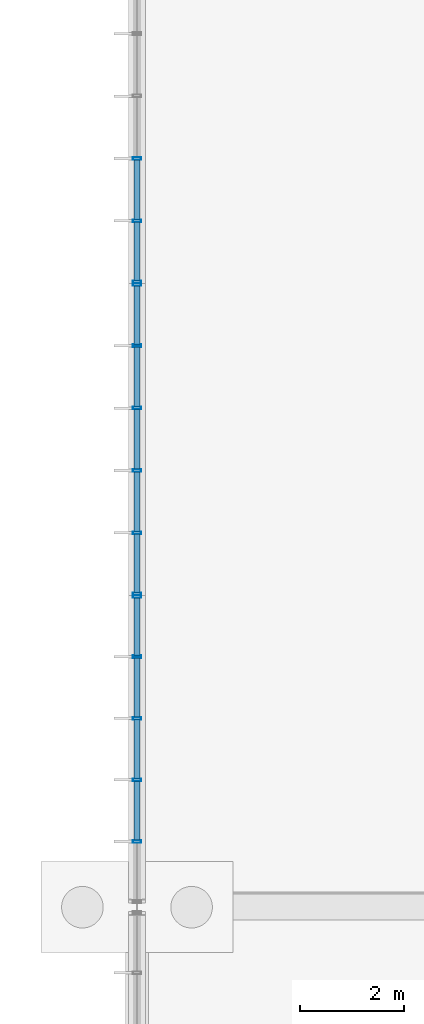
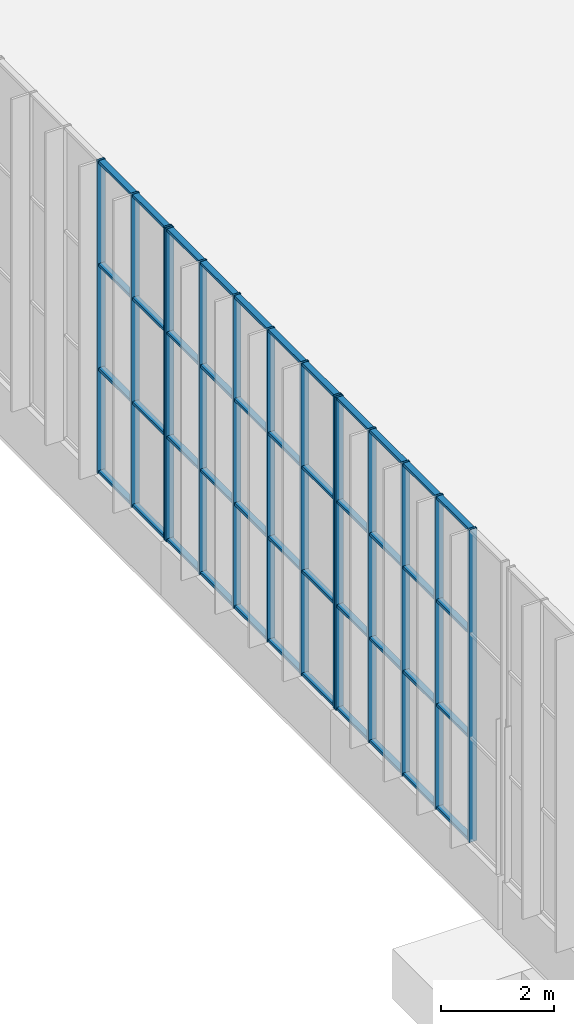
# One storey, part 48 of 136: 58 members, 3 elements without a shape of their own.
"""IFC4 building model written with IfcOpenShell, lengths in metres."""

from ifc_helpers import new_model, si_unit, direction, frame, origin, origin_2d, place, context, subcontext, project, spatial, hollow_rectangle, extrude, material, layer, layer_set, material_profile, profile_set, type_object, element, aggregate, save


model = new_model("IFC4")

# Units and contexts
model_context = context("Model", 3, precision=1e-05, world=origin(), true_north=direction((0.0, 1.0)))
body_context = subcontext(model_context, "Body", "Model", "MODEL_VIEW")
ifc_project = project(units=[si_unit("LENGTHUNIT", "METRE"), si_unit("AREAUNIT", "SQUARE_METRE"), si_unit("VOLUMEUNIT", "CUBIC_METRE"), si_unit("PLANEANGLEUNIT", "RADIAN"), si_unit("MASSUNIT", "GRAM", prefix="KILO")], contexts=[model_context])

# Site, building, storey
site_placement = place(None, origin())
site = spatial("IfcSite", under=ifc_project, at=site_placement, CompositionType="ELEMENT")
building_placement = place(site_placement, origin())
building = spatial("IfcBuilding", under=site, at=building_placement, Name="Solvenia Promenade Tram Depot", CompositionType="ELEMENT")
storey_placement = place(building_placement, origin())
storey = spatial("IfcBuildingStorey", under=building, at=storey_placement, Name="L00", CompositionType="ELEMENT", Elevation=0.0)

# Curtain wall, members
ifc_material = material(Name="Anodized aluminium AW-6063 T6", Category="aluminium")
ifc_layer = layer(ifc_material, 0.159912109375, Name="Anodized aluminium AW-6063 T6", Category="aluminium")
ifc_layer_set = layer_set([ifc_layer], Name="Anodized aluminium AW-6063 T6")
curtain_wall_type = type_object("IfcCurtainWallType", Name="CW-Channel-1200", PredefinedType="NOTDEFINED", material=ifc_layer_set)
curtain_wall_1_placement = place(storey_placement, origin())
curtain_wall_1 = element("IfcCurtainWall", 1, at=curtain_wall_1_placement, inside=storey, type_object=curtain_wall_type, Name="Curtain Wall CW-V1W-03", PredefinedType="NOTDEFINED")
ifc_material_profile_1 = material_profile(ifc_material, hollow_rectangle(XDim=0.159912109375, YDim=0.052001953125, WallThickness=0.00390625, at=origin_2d()), Name="ALU-M1", Category="aluminium")
ifc_profile_set_1 = profile_set([ifc_material_profile_1], Name="Anodized aluminium AW-6063 T6")
member_type_1 = type_object("IfcMemberType", Name="CWM-Mullion-1", PredefinedType="MULLION", material=ifc_profile_set_1)
member_1_placement = place(storey_placement, frame((0.0, 79.263916015625, 1.14990234375), z_axis=(0.0, 0.0, 1.0), x_axis=(-1.0, 0.0, 0.0)))
member_1 = element("IfcMember", 2, at=member_1_placement, type_object=member_type_1, Name="CW-1 mullion 2", PredefinedType="MULLION", context=body_context, shape_type="SweptSolid", body=[
    extrude(hollow_rectangle(XDim=0.159912109375, YDim=0.052001953125, WallThickness=0.00390625, at=origin_2d()), origin(), (0.0, 0.0, 1.0), 6.75),
])
member_2_placement = place(storey_placement, frame((0.0, 80.447998046875, 1.14990234375), z_axis=(0.0, 0.0, 1.0), x_axis=(-1.0, 0.0, 0.0)))
member_2 = element("IfcMember", 3, at=member_2_placement, type_object=member_type_1, Name="CW-1 mullion 3", PredefinedType="MULLION", context=body_context, shape_type="SweptSolid", body=[
    extrude(hollow_rectangle(XDim=0.159912109375, YDim=0.052001953125, WallThickness=0.00390625, at=origin_2d()), origin(), (0.0, 0.0, 1.0), 6.75),
])
member_3_placement = place(storey_placement, frame((0.0, 81.632080078125, 1.14990234375), z_axis=(0.0, 0.0, 1.0), x_axis=(-1.0, 0.0, 0.0)))
member_3 = element("IfcMember", 4, at=member_3_placement, type_object=member_type_1, Name="CW-1 mullion 4", PredefinedType="MULLION", context=body_context, shape_type="SweptSolid", body=[
    extrude(hollow_rectangle(XDim=0.159912109375, YDim=0.052001953125, WallThickness=0.00390625, at=origin_2d()), origin(), (0.0, 0.0, 1.0), 6.75),
])
member_4_placement = place(storey_placement, frame((0.0, 82.81591796875, 1.14990234375), z_axis=(0.0, 0.0, 1.0), x_axis=(-1.0, 0.0, 0.0)))
member_4 = element("IfcMember", 5, at=member_4_placement, type_object=member_type_1, Name="CW-1 mullion 5", PredefinedType="MULLION", context=body_context, shape_type="SweptSolid", body=[
    extrude(hollow_rectangle(XDim=0.159912109375, YDim=0.052001953125, WallThickness=0.00390625, at=origin_2d()), origin(), (0.0, 0.0, 1.0), 6.75),
])
member_5_placement = place(storey_placement, frame((0.0, 83.97412109375, 1.14990234375), z_axis=(0.0, 0.0, 1.0), x_axis=(-1.0, 0.0, 0.0)))
member_5 = element("IfcMember", 6, at=member_5_placement, type_object=member_type_1, Name="CW-1 mullion 6", PredefinedType="MULLION", context=body_context, shape_type="SweptSolid", body=[
    extrude(hollow_rectangle(XDim=0.159912109375, YDim=0.052001953125, WallThickness=0.00390625, at=origin_2d()), origin(), (0.0, 0.0, 1.0), 6.75),
])

curtain_wall_2_placement = place(storey_placement, origin())
curtain_wall_2 = element("IfcCurtainWall", 7, at=curtain_wall_2_placement, inside=storey, type_object=curtain_wall_type, Name="Curtain Wall CW-V1W-04", PredefinedType="NOTDEFINED")
member_6_placement = place(storey_placement, frame((0.0, 84.02587890625, 1.14990234375), z_axis=(0.0, 0.0, 1.0), x_axis=(-1.0, 0.0, 0.0)))
member_6 = element("IfcMember", 8, at=member_6_placement, type_object=member_type_1, Name="CW-1 mullion 1", PredefinedType="MULLION", context=body_context, shape_type="SweptSolid", body=[
    extrude(hollow_rectangle(XDim=0.159912109375, YDim=0.052001953125, WallThickness=0.00390625, at=origin_2d()), origin(), (0.0, 0.0, 1.0), 6.75),
])
member_7_placement = place(storey_placement, frame((0.0, 85.199951171875, 1.14990234375), z_axis=(0.0, 0.0, 1.0), x_axis=(-1.0, 0.0, 0.0)))
member_7 = element("IfcMember", 9, at=member_7_placement, type_object=member_type_1, Name="CW-1 mullion 2", PredefinedType="MULLION", context=body_context, shape_type="SweptSolid", body=[
    extrude(hollow_rectangle(XDim=0.159912109375, YDim=0.052001953125, WallThickness=0.00390625, at=origin_2d()), origin(), (0.0, 0.0, 1.0), 6.75),
])
member_8_placement = place(storey_placement, frame((0.0, 86.39990234375, 1.14990234375), z_axis=(0.0, 0.0, 1.0), x_axis=(-1.0, 0.0, 0.0)))
member_8 = element("IfcMember", 10, at=member_8_placement, type_object=member_type_1, Name="CW-1 mullion 3", PredefinedType="MULLION", context=body_context, shape_type="SweptSolid", body=[
    extrude(hollow_rectangle(XDim=0.159912109375, YDim=0.052001953125, WallThickness=0.00390625, at=origin_2d()), origin(), (0.0, 0.0, 1.0), 6.75),
])
member_9_placement = place(storey_placement, frame((0.0, 87.60009765625, 1.14990234375), z_axis=(0.0, 0.0, 1.0), x_axis=(-1.0, 0.0, 0.0)))
member_9 = element("IfcMember", 11, at=member_9_placement, type_object=member_type_1, Name="CW-1 mullion 4", PredefinedType="MULLION", context=body_context, shape_type="SweptSolid", body=[
    extrude(hollow_rectangle(XDim=0.159912109375, YDim=0.052001953125, WallThickness=0.00390625, at=origin_2d()), origin(), (0.0, 0.0, 1.0), 6.75),
])
member_10_placement = place(storey_placement, frame((0.0, 88.800048828125, 1.14990234375), z_axis=(0.0, 0.0, 1.0), x_axis=(-1.0, 0.0, 0.0)))
member_10 = element("IfcMember", 12, at=member_10_placement, type_object=member_type_1, Name="CW-1 mullion 5", PredefinedType="MULLION", context=body_context, shape_type="SweptSolid", body=[
    extrude(hollow_rectangle(XDim=0.159912109375, YDim=0.052001953125, WallThickness=0.00390625, at=origin_2d()), origin(), (0.0, 0.0, 1.0), 6.75),
])
member_11_placement = place(storey_placement, frame((0.0, 89.97412109375, 1.14990234375), z_axis=(0.0, 0.0, 1.0), x_axis=(-1.0, 0.0, 0.0)))
member_11 = element("IfcMember", 13, at=member_11_placement, type_object=member_type_1, Name="CW-1 mullion 6", PredefinedType="MULLION", context=body_context, shape_type="SweptSolid", body=[
    extrude(hollow_rectangle(XDim=0.159912109375, YDim=0.052001953125, WallThickness=0.00390625, at=origin_2d()), origin(), (0.0, 0.0, 1.0), 6.75),
])

curtain_wall_3_placement = place(storey_placement, origin())
curtain_wall_3 = element("IfcCurtainWall", 14, at=curtain_wall_3_placement, inside=storey, type_object=curtain_wall_type, Name="Curtain Wall CW-V1W-05", PredefinedType="NOTDEFINED")
member_12_placement = place(storey_placement, frame((0.0, 90.02587890625, 1.14990234375), z_axis=(0.0, 0.0, 1.0), x_axis=(-1.0, 0.0, 0.0)))
member_12 = element("IfcMember", 15, at=member_12_placement, type_object=member_type_1, Name="CW-1 mullion 1", PredefinedType="MULLION", context=body_context, shape_type="SweptSolid", body=[
    extrude(hollow_rectangle(XDim=0.159912109375, YDim=0.052001953125, WallThickness=0.00390625, at=origin_2d()), origin(), (0.0, 0.0, 1.0), 6.75),
])
member_13_placement = place(storey_placement, frame((0.0, 91.199951171875, 1.14990234375), z_axis=(0.0, 0.0, 1.0), x_axis=(-1.0, 0.0, 0.0)))
member_13 = element("IfcMember", 16, at=member_13_placement, type_object=member_type_1, Name="CW-1 mullion 2", PredefinedType="MULLION", context=body_context, shape_type="SweptSolid", body=[
    extrude(hollow_rectangle(XDim=0.159912109375, YDim=0.052001953125, WallThickness=0.00390625, at=origin_2d()), origin(), (0.0, 0.0, 1.0), 6.75),
])
member_14_placement = place(storey_placement, frame((0.0, 92.39990234375, 1.14990234375), z_axis=(0.0, 0.0, 1.0), x_axis=(-1.0, 0.0, 0.0)))
member_14 = element("IfcMember", 17, at=member_14_placement, type_object=member_type_1, Name="CW-1 mullion 3", PredefinedType="MULLION", context=body_context, shape_type="SweptSolid", body=[
    extrude(hollow_rectangle(XDim=0.159912109375, YDim=0.052001953125, WallThickness=0.00390625, at=origin_2d()), origin(), (0.0, 0.0, 1.0), 6.75),
])

# Member
ifc_material_profile_2 = material_profile(ifc_material, hollow_rectangle(XDim=0.1201171875, YDim=0.06005859375, WallThickness=0.00390625, at=origin_2d()), Name="ALU-T1", Category="aluminium")
ifc_profile_set_2 = profile_set([ifc_material_profile_2], Name="Anodized aluminium AW-6063 T6")
member_type_2 = type_object("IfcMemberType", Name="CWT-Transom-1", PredefinedType="USERDEFINED", material=ifc_profile_set_2)
member_15_placement = place(storey_placement, frame((0.0, 79.2900390625, 1.179931640625), z_axis=(0.0, 1.0, 0.0), x_axis=(-1.0, 0.0, 0.0)))
member_15 = element("IfcMember", 18, at=member_15_placement, type_object=member_type_2, Name="CW-1 transom 2.1", ObjectType="TRANSOM", PredefinedType="USERDEFINED", context=body_context, shape_type="SweptSolid", body=[
    extrude(hollow_rectangle(XDim=0.1201171875, YDim=0.06005859375, WallThickness=0.00390625, at=origin_2d()), origin(), (0.0, 0.0, 1.0), 1.132080078125),
])

member_16_placement = place(storey_placement, frame((0.0, 79.2900390625, 3.39990234375), z_axis=(0.0, 1.0, 0.0), x_axis=(-1.0, 0.0, 0.0)))
member_16 = element("IfcMember", 19, at=member_16_placement, type_object=member_type_2, Name="CW-1 transom 2.2", ObjectType="TRANSOM", PredefinedType="USERDEFINED", context=body_context, shape_type="SweptSolid", body=[
    extrude(hollow_rectangle(XDim=0.1201171875, YDim=0.06005859375, WallThickness=0.00390625, at=origin_2d()), origin(), (0.0, 0.0, 1.0), 1.132080078125),
])

member_17_placement = place(storey_placement, frame((0.0, 79.2900390625, 5.64990234375), z_axis=(0.0, 1.0, 0.0), x_axis=(-1.0, 0.0, 0.0)))
member_17 = element("IfcMember", 20, at=member_17_placement, type_object=member_type_2, Name="CW-1 transom 2.3", ObjectType="TRANSOM", PredefinedType="USERDEFINED", context=body_context, shape_type="SweptSolid", body=[
    extrude(hollow_rectangle(XDim=0.1201171875, YDim=0.06005859375, WallThickness=0.00390625, at=origin_2d()), origin(), (0.0, 0.0, 1.0), 1.132080078125),
])

member_18_placement = place(storey_placement, frame((0.0, 79.2900390625, 7.8701171875), z_axis=(0.0, 1.0, 0.0), x_axis=(-1.0, 0.0, 0.0)))
member_18 = element("IfcMember", 21, at=member_18_placement, type_object=member_type_2, Name="CW-1 transom 2.4", ObjectType="TRANSOM", PredefinedType="USERDEFINED", context=body_context, shape_type="SweptSolid", body=[
    extrude(hollow_rectangle(XDim=0.1201171875, YDim=0.06005859375, WallThickness=0.00390625, at=origin_2d()), origin(), (0.0, 0.0, 1.0), 1.132080078125),
])

member_19_placement = place(storey_placement, frame((0.0, 80.47412109375, 1.179931640625), z_axis=(0.0, 1.0, 0.0), x_axis=(-1.0, 0.0, 0.0)))
member_19 = element("IfcMember", 22, at=member_19_placement, type_object=member_type_2, Name="CW-1 transom 3.1", ObjectType="TRANSOM", PredefinedType="USERDEFINED", context=body_context, shape_type="SweptSolid", body=[
    extrude(hollow_rectangle(XDim=0.1201171875, YDim=0.06005859375, WallThickness=0.00390625, at=origin_2d()), origin(), (0.0, 0.0, 1.0), 1.1318359375),
])

member_20_placement = place(storey_placement, frame((0.0, 80.47412109375, 3.39990234375), z_axis=(0.0, 1.0, 0.0), x_axis=(-1.0, 0.0, 0.0)))
member_20 = element("IfcMember", 23, at=member_20_placement, type_object=member_type_2, Name="CW-1 transom 3.2", ObjectType="TRANSOM", PredefinedType="USERDEFINED", context=body_context, shape_type="SweptSolid", body=[
    extrude(hollow_rectangle(XDim=0.1201171875, YDim=0.06005859375, WallThickness=0.00390625, at=origin_2d()), origin(), (0.0, 0.0, 1.0), 1.1318359375),
])

member_21_placement = place(storey_placement, frame((0.0, 80.47412109375, 5.64990234375), z_axis=(0.0, 1.0, 0.0), x_axis=(-1.0, 0.0, 0.0)))
member_21 = element("IfcMember", 24, at=member_21_placement, type_object=member_type_2, Name="CW-1 transom 3.3", ObjectType="TRANSOM", PredefinedType="USERDEFINED", context=body_context, shape_type="SweptSolid", body=[
    extrude(hollow_rectangle(XDim=0.1201171875, YDim=0.06005859375, WallThickness=0.00390625, at=origin_2d()), origin(), (0.0, 0.0, 1.0), 1.1318359375),
])

member_22_placement = place(storey_placement, frame((0.0, 80.47412109375, 7.8701171875), z_axis=(0.0, 1.0, 0.0), x_axis=(-1.0, 0.0, 0.0)))
member_22 = element("IfcMember", 25, at=member_22_placement, type_object=member_type_2, Name="CW-1 transom 3.4", ObjectType="TRANSOM", PredefinedType="USERDEFINED", context=body_context, shape_type="SweptSolid", body=[
    extrude(hollow_rectangle(XDim=0.1201171875, YDim=0.06005859375, WallThickness=0.00390625, at=origin_2d()), origin(), (0.0, 0.0, 1.0), 1.1318359375),
])

member_23_placement = place(storey_placement, frame((0.0, 81.657958984375, 1.179931640625), z_axis=(0.0, 1.0, 0.0), x_axis=(-1.0, 0.0, 0.0)))
member_23 = element("IfcMember", 26, at=member_23_placement, type_object=member_type_2, Name="CW-1 transom 4.1", ObjectType="TRANSOM", PredefinedType="USERDEFINED", context=body_context, shape_type="SweptSolid", body=[
    extrude(hollow_rectangle(XDim=0.1201171875, YDim=0.06005859375, WallThickness=0.00390625, at=origin_2d()), origin(), (0.0, 0.0, 1.0), 1.132080078125),
])

member_24_placement = place(storey_placement, frame((0.0, 81.657958984375, 3.39990234375), z_axis=(0.0, 1.0, 0.0), x_axis=(-1.0, 0.0, 0.0)))
member_24 = element("IfcMember", 27, at=member_24_placement, type_object=member_type_2, Name="CW-1 transom 4.2", ObjectType="TRANSOM", PredefinedType="USERDEFINED", context=body_context, shape_type="SweptSolid", body=[
    extrude(hollow_rectangle(XDim=0.1201171875, YDim=0.06005859375, WallThickness=0.00390625, at=origin_2d()), origin(), (0.0, 0.0, 1.0), 1.132080078125),
])

member_25_placement = place(storey_placement, frame((0.0, 81.657958984375, 5.64990234375), z_axis=(0.0, 1.0, 0.0), x_axis=(-1.0, 0.0, 0.0)))
member_25 = element("IfcMember", 28, at=member_25_placement, type_object=member_type_2, Name="CW-1 transom 4.3", ObjectType="TRANSOM", PredefinedType="USERDEFINED", context=body_context, shape_type="SweptSolid", body=[
    extrude(hollow_rectangle(XDim=0.1201171875, YDim=0.06005859375, WallThickness=0.00390625, at=origin_2d()), origin(), (0.0, 0.0, 1.0), 1.132080078125),
])

member_26_placement = place(storey_placement, frame((0.0, 81.657958984375, 7.8701171875), z_axis=(0.0, 1.0, 0.0), x_axis=(-1.0, 0.0, 0.0)))
member_26 = element("IfcMember", 29, at=member_26_placement, type_object=member_type_2, Name="CW-1 transom 4.4", ObjectType="TRANSOM", PredefinedType="USERDEFINED", context=body_context, shape_type="SweptSolid", body=[
    extrude(hollow_rectangle(XDim=0.1201171875, YDim=0.06005859375, WallThickness=0.00390625, at=origin_2d()), origin(), (0.0, 0.0, 1.0), 1.132080078125),
])

member_27_placement = place(storey_placement, frame((0.0, 82.842041015625, 1.179931640625), z_axis=(0.0, 1.0, 0.0), x_axis=(-1.0, 0.0, 0.0)))
member_27 = element("IfcMember", 30, at=member_27_placement, type_object=member_type_2, Name="CW-1 transom 5.1", ObjectType="TRANSOM", PredefinedType="USERDEFINED", context=body_context, shape_type="SweptSolid", body=[
    extrude(hollow_rectangle(XDim=0.1201171875, YDim=0.06005859375, WallThickness=0.00390625, at=origin_2d()), origin(), (0.0, 0.0, 1.0), 1.10595703125),
])

member_28_placement = place(storey_placement, frame((0.0, 82.842041015625, 3.39990234375), z_axis=(0.0, 1.0, 0.0), x_axis=(-1.0, 0.0, 0.0)))
member_28 = element("IfcMember", 31, at=member_28_placement, type_object=member_type_2, Name="CW-1 transom 5.2", ObjectType="TRANSOM", PredefinedType="USERDEFINED", context=body_context, shape_type="SweptSolid", body=[
    extrude(hollow_rectangle(XDim=0.1201171875, YDim=0.06005859375, WallThickness=0.00390625, at=origin_2d()), origin(), (0.0, 0.0, 1.0), 1.10595703125),
])

member_29_placement = place(storey_placement, frame((0.0, 82.842041015625, 5.64990234375), z_axis=(0.0, 1.0, 0.0), x_axis=(-1.0, 0.0, 0.0)))
member_29 = element("IfcMember", 32, at=member_29_placement, type_object=member_type_2, Name="CW-1 transom 5.3", ObjectType="TRANSOM", PredefinedType="USERDEFINED", context=body_context, shape_type="SweptSolid", body=[
    extrude(hollow_rectangle(XDim=0.1201171875, YDim=0.06005859375, WallThickness=0.00390625, at=origin_2d()), origin(), (0.0, 0.0, 1.0), 1.10595703125),
])

member_30_placement = place(storey_placement, frame((0.0, 82.842041015625, 7.8701171875), z_axis=(0.0, 1.0, 0.0), x_axis=(-1.0, 0.0, 0.0)))
member_30 = element("IfcMember", 33, at=member_30_placement, type_object=member_type_2, Name="CW-1 transom 5.4", ObjectType="TRANSOM", PredefinedType="USERDEFINED", context=body_context, shape_type="SweptSolid", body=[
    extrude(hollow_rectangle(XDim=0.1201171875, YDim=0.06005859375, WallThickness=0.00390625, at=origin_2d()), origin(), (0.0, 0.0, 1.0), 1.10595703125),
])

aggregate(curtain_wall_1, [member_1, member_2, member_3, member_4, member_5, member_15, member_16, member_17, member_18, member_19, member_20, member_21, member_22, member_23, member_24, member_25, member_26, member_27, member_28, member_29, member_30])

member_31_placement = place(storey_placement, frame((0.0, 84.052001953125, 1.179931640625), z_axis=(0.0, 1.0, 0.0), x_axis=(-1.0, 0.0, 0.0)))
member_31 = element("IfcMember", 34, at=member_31_placement, type_object=member_type_2, Name="CW-1 transom 1.1", ObjectType="TRANSOM", PredefinedType="USERDEFINED", context=body_context, shape_type="SweptSolid", body=[
    extrude(hollow_rectangle(XDim=0.1201171875, YDim=0.06005859375, WallThickness=0.00390625, at=origin_2d()), origin(), (0.0, 0.0, 1.0), 1.1220703125),
])

member_32_placement = place(storey_placement, frame((0.0, 84.052001953125, 3.39990234375), z_axis=(0.0, 1.0, 0.0), x_axis=(-1.0, 0.0, 0.0)))
member_32 = element("IfcMember", 35, at=member_32_placement, type_object=member_type_2, Name="CW-1 transom 1.2", ObjectType="TRANSOM", PredefinedType="USERDEFINED", context=body_context, shape_type="SweptSolid", body=[
    extrude(hollow_rectangle(XDim=0.1201171875, YDim=0.06005859375, WallThickness=0.00390625, at=origin_2d()), origin(), (0.0, 0.0, 1.0), 1.1220703125),
])

member_33_placement = place(storey_placement, frame((0.0, 84.052001953125, 5.64990234375), z_axis=(0.0, 1.0, 0.0), x_axis=(-1.0, 0.0, 0.0)))
member_33 = element("IfcMember", 36, at=member_33_placement, type_object=member_type_2, Name="CW-1 transom 1.3", ObjectType="TRANSOM", PredefinedType="USERDEFINED", context=body_context, shape_type="SweptSolid", body=[
    extrude(hollow_rectangle(XDim=0.1201171875, YDim=0.06005859375, WallThickness=0.00390625, at=origin_2d()), origin(), (0.0, 0.0, 1.0), 1.1220703125),
])

member_34_placement = place(storey_placement, frame((0.0, 84.052001953125, 7.8701171875), z_axis=(0.0, 1.0, 0.0), x_axis=(-1.0, 0.0, 0.0)))
member_34 = element("IfcMember", 37, at=member_34_placement, type_object=member_type_2, Name="CW-1 transom 1.4", ObjectType="TRANSOM", PredefinedType="USERDEFINED", context=body_context, shape_type="SweptSolid", body=[
    extrude(hollow_rectangle(XDim=0.1201171875, YDim=0.06005859375, WallThickness=0.00390625, at=origin_2d()), origin(), (0.0, 0.0, 1.0), 1.1220703125),
])

member_35_placement = place(storey_placement, frame((0.0, 85.22607421875, 1.179931640625), z_axis=(0.0, 1.0, 0.0), x_axis=(-1.0, 0.0, 0.0)))
member_35 = element("IfcMember", 38, at=member_35_placement, type_object=member_type_2, Name="CW-1 transom 2.1", ObjectType="TRANSOM", PredefinedType="USERDEFINED", context=body_context, shape_type="SweptSolid", body=[
    extrude(hollow_rectangle(XDim=0.1201171875, YDim=0.06005859375, WallThickness=0.00390625, at=origin_2d()), origin(), (0.0, 0.0, 1.0), 1.14794921875),
])

member_36_placement = place(storey_placement, frame((0.0, 85.22607421875, 3.39990234375), z_axis=(0.0, 1.0, 0.0), x_axis=(-1.0, 0.0, 0.0)))
member_36 = element("IfcMember", 39, at=member_36_placement, type_object=member_type_2, Name="CW-1 transom 2.2", ObjectType="TRANSOM", PredefinedType="USERDEFINED", context=body_context, shape_type="SweptSolid", body=[
    extrude(hollow_rectangle(XDim=0.1201171875, YDim=0.06005859375, WallThickness=0.00390625, at=origin_2d()), origin(), (0.0, 0.0, 1.0), 1.14794921875),
])

member_37_placement = place(storey_placement, frame((0.0, 85.22607421875, 5.64990234375), z_axis=(0.0, 1.0, 0.0), x_axis=(-1.0, 0.0, 0.0)))
member_37 = element("IfcMember", 40, at=member_37_placement, type_object=member_type_2, Name="CW-1 transom 2.3", ObjectType="TRANSOM", PredefinedType="USERDEFINED", context=body_context, shape_type="SweptSolid", body=[
    extrude(hollow_rectangle(XDim=0.1201171875, YDim=0.06005859375, WallThickness=0.00390625, at=origin_2d()), origin(), (0.0, 0.0, 1.0), 1.14794921875),
])

member_38_placement = place(storey_placement, frame((0.0, 85.22607421875, 7.8701171875), z_axis=(0.0, 1.0, 0.0), x_axis=(-1.0, 0.0, 0.0)))
member_38 = element("IfcMember", 41, at=member_38_placement, type_object=member_type_2, Name="CW-1 transom 2.4", ObjectType="TRANSOM", PredefinedType="USERDEFINED", context=body_context, shape_type="SweptSolid", body=[
    extrude(hollow_rectangle(XDim=0.1201171875, YDim=0.06005859375, WallThickness=0.00390625, at=origin_2d()), origin(), (0.0, 0.0, 1.0), 1.14794921875),
])

member_39_placement = place(storey_placement, frame((0.0, 86.426025390625, 1.179931640625), z_axis=(0.0, 1.0, 0.0), x_axis=(-1.0, 0.0, 0.0)))
member_39 = element("IfcMember", 42, at=member_39_placement, type_object=member_type_2, Name="CW-1 transom 3.1", ObjectType="TRANSOM", PredefinedType="USERDEFINED", context=body_context, shape_type="SweptSolid", body=[
    extrude(hollow_rectangle(XDim=0.1201171875, YDim=0.06005859375, WallThickness=0.00390625, at=origin_2d()), origin(), (0.0, 0.0, 1.0), 1.14794921875),
])

member_40_placement = place(storey_placement, frame((0.0, 86.426025390625, 3.39990234375), z_axis=(0.0, 1.0, 0.0), x_axis=(-1.0, 0.0, 0.0)))
member_40 = element("IfcMember", 43, at=member_40_placement, type_object=member_type_2, Name="CW-1 transom 3.2", ObjectType="TRANSOM", PredefinedType="USERDEFINED", context=body_context, shape_type="SweptSolid", body=[
    extrude(hollow_rectangle(XDim=0.1201171875, YDim=0.06005859375, WallThickness=0.00390625, at=origin_2d()), origin(), (0.0, 0.0, 1.0), 1.14794921875),
])

member_41_placement = place(storey_placement, frame((0.0, 86.426025390625, 5.64990234375), z_axis=(0.0, 1.0, 0.0), x_axis=(-1.0, 0.0, 0.0)))
member_41 = element("IfcMember", 44, at=member_41_placement, type_object=member_type_2, Name="CW-1 transom 3.3", ObjectType="TRANSOM", PredefinedType="USERDEFINED", context=body_context, shape_type="SweptSolid", body=[
    extrude(hollow_rectangle(XDim=0.1201171875, YDim=0.06005859375, WallThickness=0.00390625, at=origin_2d()), origin(), (0.0, 0.0, 1.0), 1.14794921875),
])

member_42_placement = place(storey_placement, frame((0.0, 86.426025390625, 7.8701171875), z_axis=(0.0, 1.0, 0.0), x_axis=(-1.0, 0.0, 0.0)))
member_42 = element("IfcMember", 45, at=member_42_placement, type_object=member_type_2, Name="CW-1 transom 3.4", ObjectType="TRANSOM", PredefinedType="USERDEFINED", context=body_context, shape_type="SweptSolid", body=[
    extrude(hollow_rectangle(XDim=0.1201171875, YDim=0.06005859375, WallThickness=0.00390625, at=origin_2d()), origin(), (0.0, 0.0, 1.0), 1.14794921875),
])

member_43_placement = place(storey_placement, frame((0.0, 87.6259765625, 1.179931640625), z_axis=(0.0, 1.0, 0.0), x_axis=(-1.0, 0.0, 0.0)))
member_43 = element("IfcMember", 46, at=member_43_placement, type_object=member_type_2, Name="CW-1 transom 4.1", ObjectType="TRANSOM", PredefinedType="USERDEFINED", context=body_context, shape_type="SweptSolid", body=[
    extrude(hollow_rectangle(XDim=0.1201171875, YDim=0.06005859375, WallThickness=0.00390625, at=origin_2d()), origin(), (0.0, 0.0, 1.0), 1.14794921875),
])

member_44_placement = place(storey_placement, frame((0.0, 87.6259765625, 3.39990234375), z_axis=(0.0, 1.0, 0.0), x_axis=(-1.0, 0.0, 0.0)))
member_44 = element("IfcMember", 47, at=member_44_placement, type_object=member_type_2, Name="CW-1 transom 4.2", ObjectType="TRANSOM", PredefinedType="USERDEFINED", context=body_context, shape_type="SweptSolid", body=[
    extrude(hollow_rectangle(XDim=0.1201171875, YDim=0.06005859375, WallThickness=0.00390625, at=origin_2d()), origin(), (0.0, 0.0, 1.0), 1.14794921875),
])

member_45_placement = place(storey_placement, frame((0.0, 87.6259765625, 5.64990234375), z_axis=(0.0, 1.0, 0.0), x_axis=(-1.0, 0.0, 0.0)))
member_45 = element("IfcMember", 48, at=member_45_placement, type_object=member_type_2, Name="CW-1 transom 4.3", ObjectType="TRANSOM", PredefinedType="USERDEFINED", context=body_context, shape_type="SweptSolid", body=[
    extrude(hollow_rectangle(XDim=0.1201171875, YDim=0.06005859375, WallThickness=0.00390625, at=origin_2d()), origin(), (0.0, 0.0, 1.0), 1.14794921875),
])

member_46_placement = place(storey_placement, frame((0.0, 87.6259765625, 7.8701171875), z_axis=(0.0, 1.0, 0.0), x_axis=(-1.0, 0.0, 0.0)))
member_46 = element("IfcMember", 49, at=member_46_placement, type_object=member_type_2, Name="CW-1 transom 4.4", ObjectType="TRANSOM", PredefinedType="USERDEFINED", context=body_context, shape_type="SweptSolid", body=[
    extrude(hollow_rectangle(XDim=0.1201171875, YDim=0.06005859375, WallThickness=0.00390625, at=origin_2d()), origin(), (0.0, 0.0, 1.0), 1.14794921875),
])

member_47_placement = place(storey_placement, frame((0.0, 88.825927734375, 1.179931640625), z_axis=(0.0, 1.0, 0.0), x_axis=(-1.0, 0.0, 0.0)))
member_47 = element("IfcMember", 50, at=member_47_placement, type_object=member_type_2, Name="CW-1 transom 5.1", ObjectType="TRANSOM", PredefinedType="USERDEFINED", context=body_context, shape_type="SweptSolid", body=[
    extrude(hollow_rectangle(XDim=0.1201171875, YDim=0.06005859375, WallThickness=0.00390625, at=origin_2d()), origin(), (0.0, 0.0, 1.0), 1.1220703125),
])

member_48_placement = place(storey_placement, frame((0.0, 88.825927734375, 3.39990234375), z_axis=(0.0, 1.0, 0.0), x_axis=(-1.0, 0.0, 0.0)))
member_48 = element("IfcMember", 51, at=member_48_placement, type_object=member_type_2, Name="CW-1 transom 5.2", ObjectType="TRANSOM", PredefinedType="USERDEFINED", context=body_context, shape_type="SweptSolid", body=[
    extrude(hollow_rectangle(XDim=0.1201171875, YDim=0.06005859375, WallThickness=0.00390625, at=origin_2d()), origin(), (0.0, 0.0, 1.0), 1.1220703125),
])

member_49_placement = place(storey_placement, frame((0.0, 88.825927734375, 5.64990234375), z_axis=(0.0, 1.0, 0.0), x_axis=(-1.0, 0.0, 0.0)))
member_49 = element("IfcMember", 52, at=member_49_placement, type_object=member_type_2, Name="CW-1 transom 5.3", ObjectType="TRANSOM", PredefinedType="USERDEFINED", context=body_context, shape_type="SweptSolid", body=[
    extrude(hollow_rectangle(XDim=0.1201171875, YDim=0.06005859375, WallThickness=0.00390625, at=origin_2d()), origin(), (0.0, 0.0, 1.0), 1.1220703125),
])

member_50_placement = place(storey_placement, frame((0.0, 88.825927734375, 7.8701171875), z_axis=(0.0, 1.0, 0.0), x_axis=(-1.0, 0.0, 0.0)))
member_50 = element("IfcMember", 53, at=member_50_placement, type_object=member_type_2, Name="CW-1 transom 5.4", ObjectType="TRANSOM", PredefinedType="USERDEFINED", context=body_context, shape_type="SweptSolid", body=[
    extrude(hollow_rectangle(XDim=0.1201171875, YDim=0.06005859375, WallThickness=0.00390625, at=origin_2d()), origin(), (0.0, 0.0, 1.0), 1.1220703125),
])

aggregate(curtain_wall_2, [member_6, member_7, member_8, member_9, member_10, member_11, member_31, member_32, member_33, member_34, member_35, member_36, member_37, member_38, member_39, member_40, member_41, member_42, member_43, member_44, member_45, member_46, member_47, member_48, member_49, member_50])

member_51_placement = place(storey_placement, frame((0.0, 90.052001953125, 1.179931640625), z_axis=(0.0, 1.0, 0.0), x_axis=(-1.0, 0.0, 0.0)))
member_51 = element("IfcMember", 54, at=member_51_placement, type_object=member_type_2, Name="CW-1 transom 1.1", ObjectType="TRANSOM", PredefinedType="USERDEFINED", context=body_context, shape_type="SweptSolid", body=[
    extrude(hollow_rectangle(XDim=0.1201171875, YDim=0.06005859375, WallThickness=0.00390625, at=origin_2d()), origin(), (0.0, 0.0, 1.0), 1.1220703125),
])

member_52_placement = place(storey_placement, frame((0.0, 90.052001953125, 3.39990234375), z_axis=(0.0, 1.0, 0.0), x_axis=(-1.0, 0.0, 0.0)))
member_52 = element("IfcMember", 55, at=member_52_placement, type_object=member_type_2, Name="CW-1 transom 1.2", ObjectType="TRANSOM", PredefinedType="USERDEFINED", context=body_context, shape_type="SweptSolid", body=[
    extrude(hollow_rectangle(XDim=0.1201171875, YDim=0.06005859375, WallThickness=0.00390625, at=origin_2d()), origin(), (0.0, 0.0, 1.0), 1.1220703125),
])

member_53_placement = place(storey_placement, frame((0.0, 90.052001953125, 5.64990234375), z_axis=(0.0, 1.0, 0.0), x_axis=(-1.0, 0.0, 0.0)))
member_53 = element("IfcMember", 56, at=member_53_placement, type_object=member_type_2, Name="CW-1 transom 1.3", ObjectType="TRANSOM", PredefinedType="USERDEFINED", context=body_context, shape_type="SweptSolid", body=[
    extrude(hollow_rectangle(XDim=0.1201171875, YDim=0.06005859375, WallThickness=0.00390625, at=origin_2d()), origin(), (0.0, 0.0, 1.0), 1.1220703125),
])

member_54_placement = place(storey_placement, frame((0.0, 90.052001953125, 7.8701171875), z_axis=(0.0, 1.0, 0.0), x_axis=(-1.0, 0.0, 0.0)))
member_54 = element("IfcMember", 57, at=member_54_placement, type_object=member_type_2, Name="CW-1 transom 1.4", ObjectType="TRANSOM", PredefinedType="USERDEFINED", context=body_context, shape_type="SweptSolid", body=[
    extrude(hollow_rectangle(XDim=0.1201171875, YDim=0.06005859375, WallThickness=0.00390625, at=origin_2d()), origin(), (0.0, 0.0, 1.0), 1.1220703125),
])

member_55_placement = place(storey_placement, frame((0.0, 91.22607421875, 1.179931640625), z_axis=(0.0, 1.0, 0.0), x_axis=(-1.0, 0.0, 0.0)))
member_55 = element("IfcMember", 58, at=member_55_placement, type_object=member_type_2, Name="CW-1 transom 2.1", ObjectType="TRANSOM", PredefinedType="USERDEFINED", context=body_context, shape_type="SweptSolid", body=[
    extrude(hollow_rectangle(XDim=0.1201171875, YDim=0.06005859375, WallThickness=0.00390625, at=origin_2d()), origin(), (0.0, 0.0, 1.0), 1.14794921875),
])

member_56_placement = place(storey_placement, frame((0.0, 91.22607421875, 3.39990234375), z_axis=(0.0, 1.0, 0.0), x_axis=(-1.0, 0.0, 0.0)))
member_56 = element("IfcMember", 59, at=member_56_placement, type_object=member_type_2, Name="CW-1 transom 2.2", ObjectType="TRANSOM", PredefinedType="USERDEFINED", context=body_context, shape_type="SweptSolid", body=[
    extrude(hollow_rectangle(XDim=0.1201171875, YDim=0.06005859375, WallThickness=0.00390625, at=origin_2d()), origin(), (0.0, 0.0, 1.0), 1.14794921875),
])

member_57_placement = place(storey_placement, frame((0.0, 91.22607421875, 5.64990234375), z_axis=(0.0, 1.0, 0.0), x_axis=(-1.0, 0.0, 0.0)))
member_57 = element("IfcMember", 60, at=member_57_placement, type_object=member_type_2, Name="CW-1 transom 2.3", ObjectType="TRANSOM", PredefinedType="USERDEFINED", context=body_context, shape_type="SweptSolid", body=[
    extrude(hollow_rectangle(XDim=0.1201171875, YDim=0.06005859375, WallThickness=0.00390625, at=origin_2d()), origin(), (0.0, 0.0, 1.0), 1.14794921875),
])

member_58_placement = place(storey_placement, frame((0.0, 91.22607421875, 7.8701171875), z_axis=(0.0, 1.0, 0.0), x_axis=(-1.0, 0.0, 0.0)))
member_58 = element("IfcMember", 61, at=member_58_placement, type_object=member_type_2, Name="CW-1 transom 2.4", ObjectType="TRANSOM", PredefinedType="USERDEFINED", context=body_context, shape_type="SweptSolid", body=[
    extrude(hollow_rectangle(XDim=0.1201171875, YDim=0.06005859375, WallThickness=0.00390625, at=origin_2d()), origin(), (0.0, 0.0, 1.0), 1.14794921875),
])

aggregate(curtain_wall_3, [member_12, member_13, member_14, member_51, member_52, member_53, member_54, member_55, member_56, member_57, member_58])

save(model, "model.ifc")
